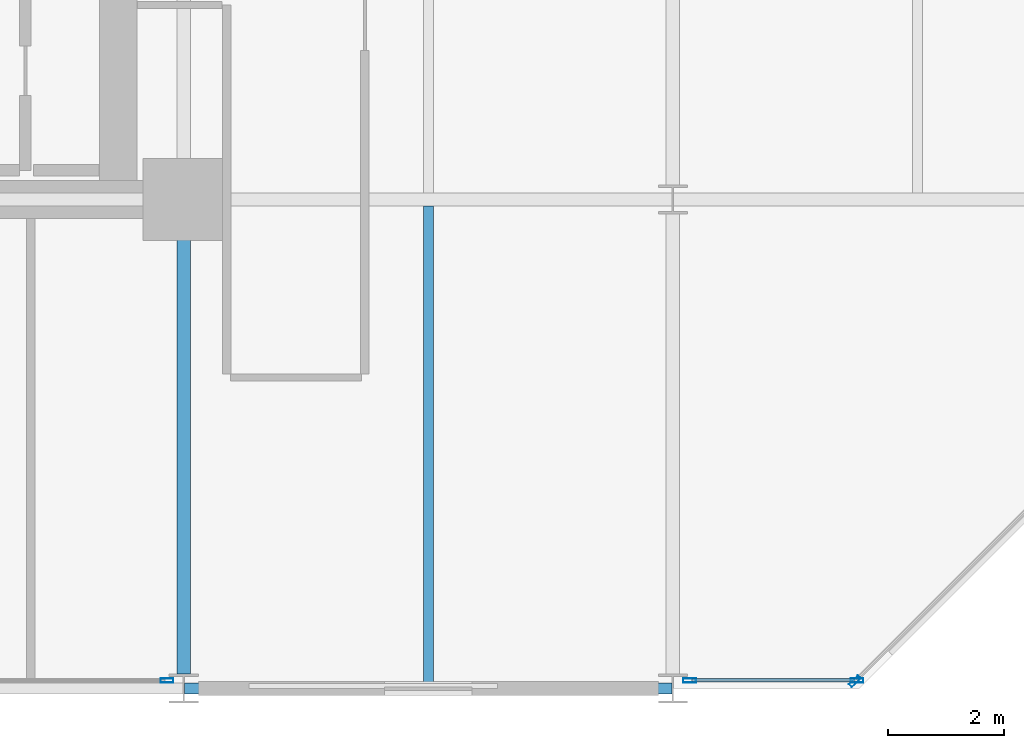
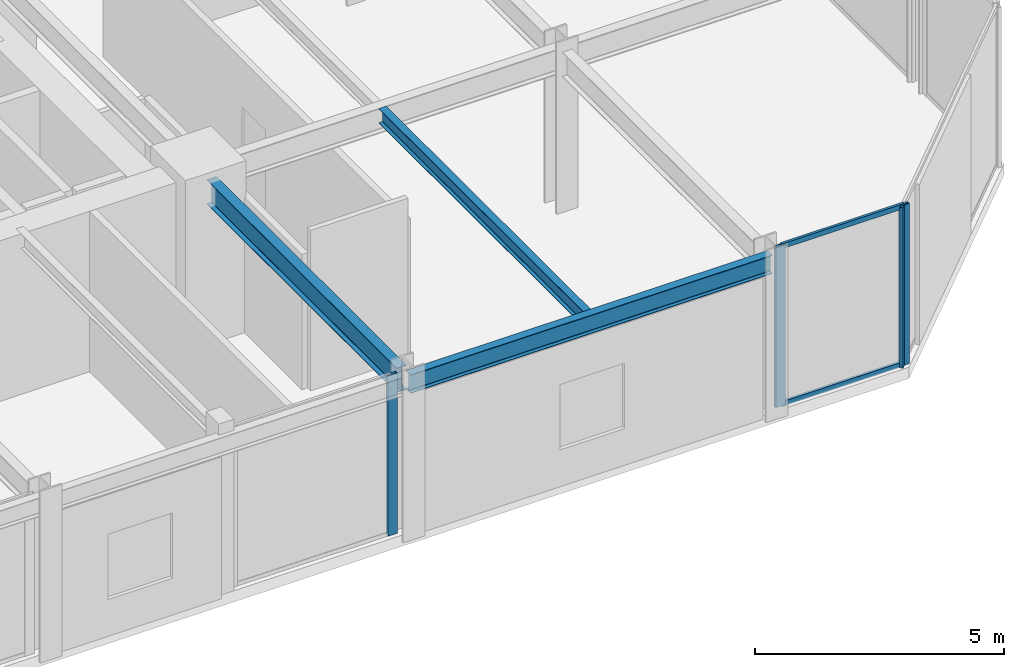
# One storey, part 9 of 24: 6 members, 3 beams, 3 elements without a shape of their own.
"""IFC4 building model written with IfcOpenShell, lengths in metres."""

from ifc_helpers import new_model, si_unit, direction, frame, origin, origin_2d, place, context, subcontext, project, spatial, hollow_rectangle, i_section, extrude, material, layer, layer_set, material_profile, profile_set, type_object, element, aggregate, save


model = new_model("IFC4")

# Units and contexts
model_context = context("Model", 3, precision=1e-05, world=origin(), true_north=direction((0.0, 1.0)))
body_context = subcontext(model_context, "Body", "Model", "MODEL_VIEW")
ifc_project = project(units=[si_unit("LENGTHUNIT", "METRE"), si_unit("AREAUNIT", "SQUARE_METRE"), si_unit("VOLUMEUNIT", "CUBIC_METRE"), si_unit("PLANEANGLEUNIT", "RADIAN"), si_unit("MASSUNIT", "GRAM", prefix="KILO")], contexts=[model_context])

# Site, building, storey
site_placement = place(None, origin())
site = spatial("IfcSite", under=ifc_project, at=site_placement, CompositionType="ELEMENT")
building_placement = place(site_placement, origin())
building = spatial("IfcBuilding", under=site, at=building_placement, Name="Nerrivon Quay Data Exchange", CompositionType="ELEMENT")
storey_placement = place(building_placement, frame((0.0, 0.0, 50.0)))
storey = spatial("IfcBuildingStorey", under=building, at=storey_placement, Name="L11", CompositionType="ELEMENT", Elevation=50.0)

# Beams
ifc_material_1 = material(Name="Steel Grade 350", Category="steel")
ifc_material_profile_1 = material_profile(ifc_material_1, i_section(OverallWidth=0.22802734375, OverallDepth=0.60205078125, WebThickness=0.010498046875, FlangeThickness=0.014892578125, FilletRadius=0.013916015625, at=origin_2d()), Name="610UB101")
ifc_profile_set_1 = profile_set([ifc_material_profile_1], Name="Steel Grade 350")
beam_type_1 = type_object("IfcBeamType", Name="BM-G2-610UB101", PredefinedType="BEAM", material=ifc_profile_set_1)
beam_1_placement = place(storey_placement, frame((33.60009765625, 0.25, 3.6240234375), z_axis=(0.0, 1.0, 0.0), x_axis=(-1.0, 0.0, 0.0)))
element("IfcBeam", 1, at=beam_1_placement, inside=storey, type_object=beam_type_1, Name="L11 NS Girder X=33.6 (0.0..8.4)", PredefinedType="BEAM", context=body_context, shape_type="SweptSolid", body=[
    extrude(i_section(OverallWidth=0.22802734375, OverallDepth=0.60205078125, WebThickness=0.010498046875, FlangeThickness=0.014892578125, FilletRadius=0.013916015625, at=origin_2d()), origin(), (0.0, 0.0, 1.0), 7.610107421875),
])
ifc_material_profile_2 = material_profile(ifc_material_1, i_section(OverallWidth=0.172119140625, OverallDepth=0.35888671875, WebThickness=0.008056640625, FlangeThickness=0.012939453125, FilletRadius=0.011474609375, at=origin_2d()), Name="360UB56.7")
ifc_profile_set_2 = profile_set([ifc_material_profile_2], Name="Steel Grade 350")
beam_type_2 = type_object("IfcBeamType", Name="BM-J3-360UB57", PredefinedType="JOIST", material=ifc_profile_set_2)
beam_2_placement = place(storey_placement, frame((37.800048828125, 0.094970703125, 3.74560546875), z_axis=(0.0, 1.0, 0.0), x_axis=(-1.0, 0.0, 0.0)))
element("IfcBeam", 2, at=beam_2_placement, inside=storey, type_object=beam_type_2, Name="L11 Secondary Joist X=37.8 (0.0..8.4)", PredefinedType="JOIST", context=body_context, shape_type="SweptSolid", body=[
    extrude(i_section(OverallWidth=0.172119140625, OverallDepth=0.35888671875, WebThickness=0.008056640625, FlangeThickness=0.012939453125, FilletRadius=0.011474609375, at=origin_2d()), origin(), (0.0, 0.0, 1.0), 8.1904296875),
])
ifc_material_profile_3 = material_profile(ifc_material_1, i_section(OverallWidth=0.18994140625, OverallDepth=0.4541015625, WebThickness=0.008544921875, FlangeThickness=0.0126953125, FilletRadius=0.011474609375, at=origin_2d()), Name="460UB67.1")
ifc_profile_set_3 = profile_set([ifc_material_profile_3], Name="Steel Grade 350")
beam_type_3 = type_object("IfcBeamType", Name="BM-SP1-460UB67", PredefinedType="SPANDREL", material=ifc_profile_set_3)
beam_3_placement = place(storey_placement, frame((33.614013671875, 0.0, 3.697998046875), z_axis=(1.0, 0.0, 0.0), x_axis=(0.0, 1.0, 0.0)))
element("IfcBeam", 3, at=beam_3_placement, inside=storey, type_object=beam_type_3, Name="L11 EW Girder Y=0.0 (33.6..42.0)", PredefinedType="SPANDREL", context=body_context, shape_type="SweptSolid", body=[
    extrude(i_section(OverallWidth=0.18994140625, OverallDepth=0.4541015625, WebThickness=0.008544921875, FlangeThickness=0.0126953125, FilletRadius=0.011474609375, at=origin_2d()), origin(), (0.0, 0.0, 1.0), 8.3720703125),
])

# Curtain wall, member
ifc_material_2 = material(Name="Anodised aluminium 6063-T6", Category="aluminium")
ifc_layer = layer(ifc_material_2, 0.219970703125)
ifc_layer_set = layer_set([ifc_layer], Name="Anodised aluminium 6063-T6")
curtain_wall_type = type_object("IfcCurtainWallType", Name="CW-SYS-01", PredefinedType="NOTDEFINED", material=ifc_layer_set)
curtain_wall_1_placement = place(storey_placement, origin())
curtain_wall_1 = element("IfcCurtainWall", 4, at=curtain_wall_1_placement, inside=storey, type_object=curtain_wall_type, Name="L11 Unitised Curtain Wall 1", PredefinedType="NOTDEFINED")
ifc_material_profile_4 = material_profile(ifc_material_2, hollow_rectangle(XDim=0.074951171875, YDim=0.219970703125, WallThickness=0.00390625, at=origin_2d()), Name="ALU-MULL-220x75")
ifc_profile_set_4 = profile_set([ifc_material_profile_4], Name="Anodised aluminium 6063-T6")
member_type_1 = type_object("IfcMemberType", Name="CWM-220x75", PredefinedType="MULLION", material=ifc_profile_set_4)
member_1_placement = place(storey_placement, frame((45.12744140625, 0.12548828125, 0.0), z_axis=(0.0, 0.0, 1.0), x_axis=(0.707106781187, -0.707106781187, 0.0)))
member_1 = element("IfcMember", 5, at=member_1_placement, type_object=member_type_1, Name="CW01 mullion 2", PredefinedType="MULLION", context=body_context, shape_type="SweptSolid", body=[
    extrude(hollow_rectangle(XDim=0.074951171875, YDim=0.219970703125, WallThickness=0.00390625, at=origin_2d()), origin(), (0.0, 0.0, 1.0), 3.925048828125),
])
aggregate(curtain_wall_1, [member_1])

# Curtain wall, members
curtain_wall_2_placement = place(storey_placement, origin())
curtain_wall_2 = element("IfcCurtainWall", 6, at=curtain_wall_2_placement, inside=storey, type_object=curtain_wall_type, Name="L11 Unitised Curtain Wall 2", PredefinedType="NOTDEFINED")
member_2_placement = place(storey_placement, frame((45.16259765625, 0.139892578125, 0.0), z_axis=(0.0, 0.0, 1.0), x_axis=(0.0, -1.0, 0.0)))
member_2 = element("IfcMember", 7, at=member_2_placement, type_object=member_type_1, Name="CW01 mullion 1", PredefinedType="MULLION", context=body_context, shape_type="SweptSolid", body=[
    extrude(hollow_rectangle(XDim=0.074951171875, YDim=0.219970703125, WallThickness=0.00390625, at=origin_2d()), origin(), (0.0, 0.0, 1.0), 3.925048828125),
])
member_3_placement = place(storey_placement, frame((42.28759765625, 0.139892578125, 0.0), z_axis=(0.0, 0.0, 1.0), x_axis=(0.0, -1.0, 0.0)))
member_3 = element("IfcMember", 8, at=member_3_placement, type_object=member_type_1, Name="CW01 mullion 2", PredefinedType="MULLION", context=body_context, shape_type="SweptSolid", body=[
    extrude(hollow_rectangle(XDim=0.074951171875, YDim=0.219970703125, WallThickness=0.00390625, at=origin_2d()), origin(), (0.0, 0.0, 1.0), 3.925048828125),
])

# Curtain wall, member
curtain_wall_3_placement = place(storey_placement, origin())
curtain_wall_3 = element("IfcCurtainWall", 9, at=curtain_wall_3_placement, inside=storey, type_object=curtain_wall_type, Name="L11 Unitised Curtain Wall 4", PredefinedType="NOTDEFINED")
member_4_placement = place(storey_placement, frame((33.3125, 0.139892578125, 0.0), z_axis=(0.0, 0.0, 1.0), x_axis=(0.0, -1.0, 0.0)))
member_4 = element("IfcMember", 10, at=member_4_placement, type_object=member_type_1, Name="CW01 mullion 1", PredefinedType="MULLION", context=body_context, shape_type="SweptSolid", body=[
    extrude(hollow_rectangle(XDim=0.074951171875, YDim=0.219970703125, WallThickness=0.00390625, at=origin_2d()), origin(), (0.0, 0.0, 1.0), 3.925048828125),
])
aggregate(curtain_wall_3, [member_4])

# Member
ifc_material_profile_5 = material_profile(ifc_material_2, hollow_rectangle(XDim=0.06005859375, YDim=0.1201171875, WallThickness=0.003173828125, at=origin_2d()), Name="ALU-TRAN-120x60")
ifc_profile_set_5 = profile_set([ifc_material_profile_5], Name="Anodised aluminium 6063-T6")
member_type_2 = type_object("IfcMemberType", Name="CWT-120x60", PredefinedType="USERDEFINED", material=ifc_profile_set_5)
member_5_placement = place(storey_placement, frame((45.125, 0.139892578125, 0.032470703125), z_axis=(-1.0, 0.0, 0.0), x_axis=(0.0, -1.0, 0.0)))
member_5 = element("IfcMember", 11, at=member_5_placement, type_object=member_type_2, Name="CW01 transom 1.1", ObjectType="TRANSOM", PredefinedType="USERDEFINED", context=body_context, shape_type="SweptSolid", body=[
    extrude(hollow_rectangle(XDim=0.06005859375, YDim=0.1201171875, WallThickness=0.003173828125, at=origin_2d()), origin(), (0.0, 0.0, 1.0), 2.800048828125),
])

member_6_placement = place(storey_placement, frame((45.125, 0.139892578125, 3.892578125), z_axis=(-1.0, 0.0, 0.0), x_axis=(0.0, -1.0, 0.0)))
member_6 = element("IfcMember", 12, at=member_6_placement, type_object=member_type_2, Name="CW01 transom 1.2", ObjectType="TRANSOM", PredefinedType="USERDEFINED", context=body_context, shape_type="SweptSolid", body=[
    extrude(hollow_rectangle(XDim=0.06005859375, YDim=0.1201171875, WallThickness=0.003173828125, at=origin_2d()), origin(), (0.0, 0.0, 1.0), 2.800048828125),
])

aggregate(curtain_wall_2, [member_2, member_3, member_5, member_6])

save(model, "model.ifc")
